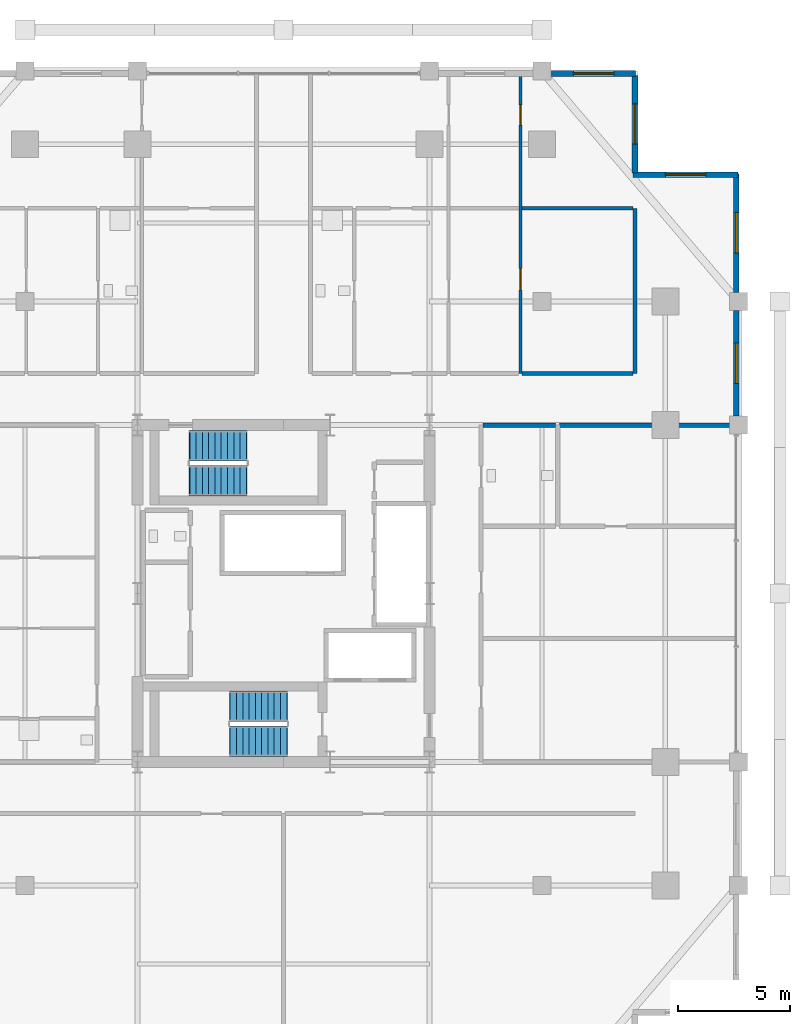
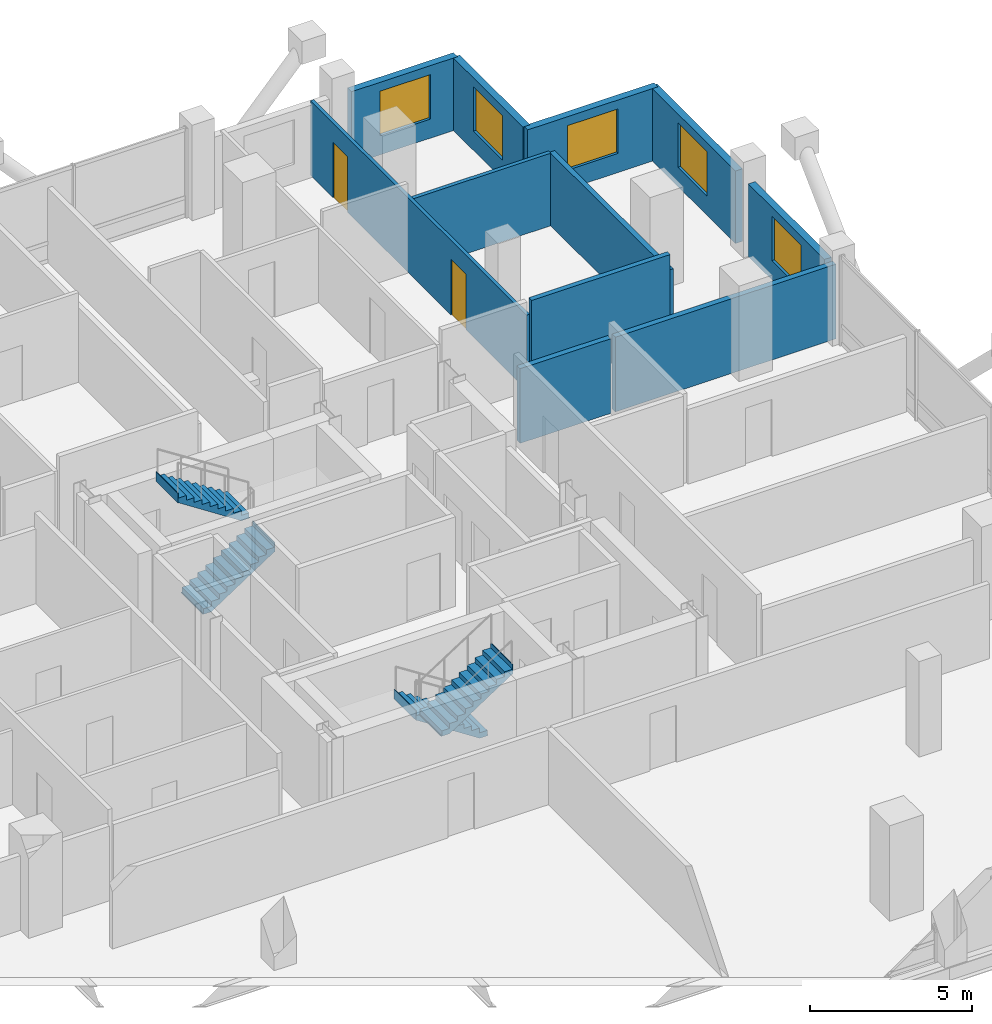
# One storey, part 20 of 22: 11 walls, 5 windows, 4 stair flights, 2 doors, 7 openings, 2 elements without a shape of their own.
"""IFC4 building model written with IfcOpenShell, lengths in metres."""

import ifcopenshell
import ifcopenshell.guid

model = None  # the IFC model being written
_history = None  # IfcOwnerHistory: only IFC2X3 demands one
_inside = {}  # id of a spatial element -> (the spatial element, [elements in it])
_under = {}  # id of a project, library or spatial element -> (it, [spatial elements below it])
_declared = {}  # id of a project -> (the project, [libraries it declares])
_typed = {}  # id of a type object -> (the type object, [elements of that type])
_made_of = {}  # id of a material, layer set ... -> (it, [elements and type objects made of it])


def new_model(schema):
    """Start an empty IFC model of exactly this schema.

    Asked for "IFC4X3", IfcOpenShell would pick the latest addendum, in which some entities
    have other attributes; the version numbers below select the first issue.
    IFC2X3 requires an IfcOwnerHistory on every rooted entity: one is made here for all.
    """
    global model, _history
    if schema == "IFC4X3":
        model = ifcopenshell.file(schema_version=(4, 3, 0, 0))
    else:
        model = ifcopenshell.file(schema=schema)
    _inside.clear()
    _under.clear()
    _declared.clear()
    _typed.clear()
    _made_of.clear()
    _history = None
    if model.schema == "IFC2X3":
        org = make("IfcOrganization", Name="unknown")
        user = make(
            "IfcPersonAndOrganization",
            ThePerson=make("IfcPerson", FamilyName="unknown"),
            TheOrganization=org,
        )
        app = make(
            "IfcApplication",
            ApplicationDeveloper=org,
            Version="unknown",
            ApplicationFullName="unknown",
            ApplicationIdentifier="unknown",
        )
        _history = make(
            "IfcOwnerHistory",
            OwningUser=user,
            OwningApplication=app,
            ChangeAction="ADDED",
            CreationDate=0,
        )
    return model


def make(cls, **values):
    """One entity of the class cls with the attributes given. An attribute that is None is left unset."""
    return model.create_entity(
        cls, **{name: value for name, value in values.items() if value is not None}
    )


def rooted(cls, **values):
    """An entity with a GlobalId (a new one), such as an element, a storey or a relation."""
    return make(cls, GlobalId=ifcopenshell.guid.new(), OwnerHistory=_history, **values)


def si_unit(unit_type, name, prefix=None):
    """IfcSIUnit, for example si_unit("LENGTHUNIT", "METRE", prefix="MILLI")."""
    return make("IfcSIUnit", UnitType=unit_type, Prefix=prefix, Name=name)


def assignment(units):
    """IfcUnitAssignment: the units of a project."""
    return None if units is None else make("IfcUnitAssignment", Units=units)


def point(xyz):
    """IfcCartesianPoint."""
    return None if xyz is None else make("IfcCartesianPoint", Coordinates=xyz)


def direction(xyz):
    """IfcDirection."""
    return None if xyz is None else make("IfcDirection", DirectionRatios=xyz)


def frame(location, z_axis=None, x_axis=None):
    """IfcAxis2Placement3D, a coordinate frame: its origin and axes. An axis left out is left unset."""
    return make(
        "IfcAxis2Placement3D",
        Location=point(location),
        Axis=direction(z_axis),
        RefDirection=direction(x_axis),
    )


def frame_2d(location, x_axis=None):
    """IfcAxis2Placement2D, a coordinate frame in the plane: its origin and x axis."""
    return make(
        "IfcAxis2Placement2D", Location=point(location), RefDirection=direction(x_axis)
    )


def origin():
    """The frame at (0, 0, 0) with its axes left unset."""
    return frame((0.0, 0.0, 0.0))


def place(relative_to, where):
    """IfcLocalPlacement: puts the frame where relative to a parent placement (None: the world)."""
    return make(
        "IfcLocalPlacement", PlacementRelTo=relative_to, RelativePlacement=where
    )


def context(
    kind, dimensions, precision=None, world=None, true_north=None, identifier=None
):
    """IfcGeometricRepresentationContext, for example the 3D "Model" context."""
    return make(
        "IfcGeometricRepresentationContext",
        ContextIdentifier=identifier,
        ContextType=kind,
        CoordinateSpaceDimension=dimensions,
        Precision=precision,
        WorldCoordinateSystem=world,
        TrueNorth=true_north,
    )


def subcontext(parent, identifier, kind, view, scale=None):
    """IfcGeometricRepresentationSubContext, for example "Body" below "Model"."""
    return make(
        "IfcGeometricRepresentationSubContext",
        ContextIdentifier=identifier,
        ContextType=kind,
        ParentContext=parent,
        TargetScale=scale,
        TargetView=view,
    )


def project(units=None, contexts=None):
    """IfcProject with its units and contexts."""
    return rooted(
        "IfcProject",
        Name="project",
        RepresentationContexts=contexts,
        UnitsInContext=assignment(units),
    )


def spatial(cls, under=None, at=None, **own):
    """A site, building, storey or space (cls), placed at a placement, below another one or the project."""
    s = rooted(cls, ObjectPlacement=at, **own)
    if under is not None:
        _under.setdefault(under.id(), (under, []))[1].append(s)
    return s


def polyline(points):
    """IfcPolyline through the points."""
    return make("IfcPolyline", Points=[point(p) for p in points])


def profile(cls, at=None, kind="AREA", **sizes):
    """A parametric profile (cls). Its sizes go by their IFC names, for example OverallWidth=200.0."""
    return make(cls, ProfileType=kind, Position=at, **sizes)


def rectangle(**sizes):
    """IfcRectangleProfileDef."""
    return profile("IfcRectangleProfileDef", **sizes)


def outline(outer, holes=None, kind="AREA"):
    """IfcArbitraryClosedProfileDef: a profile drawn as a closed curve; with holes, ...WithVoids."""
    if holes is None:
        return make("IfcArbitraryClosedProfileDef", ProfileType=kind, OuterCurve=outer)
    return make(
        "IfcArbitraryProfileDefWithVoids",
        ProfileType=kind,
        OuterCurve=outer,
        InnerCurves=holes,
    )


def extrude(swept, where, along, depth):
    """IfcExtrudedAreaSolid: the profile swept, set in the frame where, extruded along a direction by depth."""
    return make(
        "IfcExtrudedAreaSolid",
        SweptArea=swept,
        Position=where,
        ExtrudedDirection=direction(along),
        Depth=depth,
    )


def shape(context_of_items, identifier, shape_type, items):
    """IfcShapeRepresentation: the items that make up one representation, for example the "Body"."""
    return make(
        "IfcShapeRepresentation",
        ContextOfItems=context_of_items,
        RepresentationIdentifier=identifier,
        RepresentationType=shape_type,
        Items=items,
    )


def material(Name=None, Category=None):
    """IfcMaterial."""
    return make("IfcMaterial", Name=Name, Category=Category)


def layer(
    of_material, thickness, ventilated=None, Name=None, Category=None, Priority=None
):
    """IfcMaterialLayer: one layer of a wall or slab, of a material (None: an air gap)."""
    return make(
        "IfcMaterialLayer",
        Material=of_material,
        LayerThickness=thickness,
        IsVentilated=ventilated,
        Name=Name,
        Category=Category,
        Priority=Priority,
    )


def layer_set(layers, Name=None):
    """IfcMaterialLayerSet."""
    return make("IfcMaterialLayerSet", MaterialLayers=layers, LayerSetName=Name)


def made_of(thing, what):
    """Note that an element or type object is made of a material, layer set ...; save() writes the relation."""
    if what is not None:
        _made_of.setdefault(what.id(), (what, []))[1].append(thing)
    return thing


def type_object(cls, material=None, **own):
    """A type object (cls), such as IfcWallType, which elements share."""
    return made_of(rooted(cls, **own), material)


def element(
    cls,
    number,
    at=None,
    inside=None,
    cuts=None,
    type_object=None,
    material=None,
    context=None,
    identifier="Body",
    shape_type=None,
    held_by="IfcProductDefinitionShape",
    body=None,
    shapes=None,
    **own,
):
    """One element of the class cls, such as IfcWall. Its Tag is "e" and its number.

    at: its placement. inside: the storey or other place that contains it. cuts: it is an
    opening in that element (IfcRelVoidsElement). A single representation is given by context,
    identifier, shape_type and body (its items); several are given by shapes. held_by: the class
    of the entity that holds the representations. save() writes the other relations.
    """
    e = rooted(cls, Tag="e%d" % number, ObjectPlacement=at, **own)
    if body is not None:
        shapes = [shape(context, identifier, shape_type, body)]
    if shapes is not None:
        e.Representation = make(held_by, Representations=shapes)
    if inside is not None:
        _inside.setdefault(inside.id(), (inside, []))[1].append(e)
    if cuts is not None:
        rooted(
            "IfcRelVoidsElement", RelatingBuildingElement=cuts, RelatedOpeningElement=e
        )
    if type_object is not None:
        _typed.setdefault(type_object.id(), (type_object, []))[1].append(e)
    return made_of(e, material)


def fill(opening, filler):
    """IfcRelFillsElement: the door or window that sits in an opening."""
    return rooted(
        "IfcRelFillsElement",
        RelatingOpeningElement=opening,
        RelatedBuildingElement=filler,
    )


def aggregate(whole, parts):
    """IfcRelAggregates: a whole, such as a stair, and the parts it consists of."""
    return rooted("IfcRelAggregates", RelatingObject=whole, RelatedObjects=parts)


def save(model, path):
    """Write the relations noted so far, then the file.

    IfcRelAggregates (storeys below a building ...), IfcRelContainedInSpatialStructure (elements
    in a storey), IfcRelDefinesByType, IfcRelAssociatesMaterial and IfcRelDeclares: one each for
    every whole, place, type object, material and project.
    """
    for whole, parts in _under.values():
        aggregate(whole, parts)
    for where, things in _inside.values():
        rooted(
            "IfcRelContainedInSpatialStructure",
            RelatedElements=things,
            RelatingStructure=where,
        )
    for kind, things in _typed.values():
        rooted("IfcRelDefinesByType", RelatedObjects=things, RelatingType=kind)
    for what, things in _made_of.values():
        rooted("IfcRelAssociatesMaterial", RelatedObjects=things, RelatingMaterial=what)
    for by, libraries in _declared.values():
        rooted("IfcRelDeclares", RelatingContext=by, RelatedDefinitions=libraries)
    model.write(path)


model = new_model("IFC4")

# Units and contexts
model_context = context("Model", 3, precision=1e-05, world=origin(), true_north=direction((0.0, 1.0)))
body_context = subcontext(model_context, "Body", "Model", "MODEL_VIEW")
ifc_project = project(units=[si_unit("LENGTHUNIT", "METRE"), si_unit("AREAUNIT", "SQUARE_METRE"), si_unit("VOLUMEUNIT", "CUBIC_METRE"), si_unit("PLANEANGLEUNIT", "RADIAN"), si_unit("MASSUNIT", "GRAM", prefix="KILO")], contexts=[model_context])

# Site, building, storey
site_placement = place(None, origin())
site = spatial("IfcSite", under=ifc_project, at=site_placement, CompositionType="ELEMENT")
building_placement = place(site_placement, origin())
building = spatial("IfcBuilding", under=site, at=building_placement, Name="Barlavira Tower and Art Museum", CompositionType="ELEMENT")
storey_placement = place(building_placement, frame((0.0, 0.0, 129.60009765625)))
storey = spatial("IfcBuildingStorey", under=building, at=storey_placement, Name="L32", CompositionType="ELEMENT", Elevation=129.60009765625)

# Wall, openings, doors
ifc_material_1 = material(Name="Gypsum acoustic stud partition", Category="gypsum")
ifc_layer_1 = layer(ifc_material_1, 0.1201171875, Name="Gypsum acoustic stud partition")
ifc_layer_set_1 = layer_set([ifc_layer_1], Name="Gypsum acoustic stud partition")
wall_type_1 = type_object("IfcWallType", Name="Apartment Internal Acoustic Partition 120", PredefinedType="PARTITIONING", material=ifc_layer_set_1)
wall_1_placement = place(storey_placement, frame((10.550048828125, 9.800048828125, 0.0), z_axis=(0.0, 0.0, 1.0), x_axis=(0.0, 1.0, 0.0)))
wall_1 = element("IfcWall", 1, at=wall_1_placement, inside=storey, type_object=wall_type_1, Name="L32 Partition Wall 16", PredefinedType="PARTITIONING", context=body_context, shape_type="SweptSolid", body=[
    extrude(rectangle(XDim=13.349853515625, YDim=0.1201171875, at=frame_2d((6.6748046875, 0.0))), origin(), (0.0, 0.0, 1.0), 2.81591796875),
])
opening_1_placement = place(wall_1_placement, frame((3.71337890625, 0.0, 0.0)))
opening_1 = element("IfcOpeningElement", 2, at=opening_1_placement, cuts=wall_1, Name="Opening D-02", PredefinedType="OPENING", context=body_context, shape_type="SweptSolid", body=[
    extrude(rectangle(XDim=0.949951171875, YDim=2.10009765625, at=frame_2d((0.47509765625, 1.050048828125))), frame((0.0, 0.070068359375, 0.0), z_axis=(0.0, -1.0, 0.0), x_axis=(1.0, 0.0, 0.0)), (0.0, 0.0, 1.0), 0.14013671875),
])
opening_2_placement = place(wall_1_placement, frame((11.051025390625, 0.0, 0.0)))
opening_2 = element("IfcOpeningElement", 3, at=opening_2_placement, cuts=wall_1, Name="Opening D-01", PredefinedType="OPENING", context=body_context, shape_type="SweptSolid", body=[
    extrude(rectangle(XDim=0.89990234375, YDim=2.10009765625, at=frame_2d((0.449951171875, 1.050048828125))), frame((0.0, 0.070068359375, 0.0), z_axis=(0.0, -1.0, 0.0), x_axis=(1.0, 0.0, 0.0)), (0.0, 0.0, 1.0), 0.14013671875),
])
ifc_material_2 = material(Name="Engineered coastal hardwood", Category="wood")
door_type_1 = type_object("IfcDoorType", Name="Internal Bedroom Timber Flush Door 900x2100", OperationType="NOTDEFINED", PredefinedType="DOOR", material=ifc_material_2)
door_1_placement = place(opening_2_placement, origin())
door_1 = element("IfcDoor", 4, at=door_1_placement, inside=storey, type_object=door_type_1, Name="Apartment SKY-NE Bedroom 2 Door", OperationType="SINGLE_SWING_RIGHT", OverallHeight=2.10009765625, OverallWidth=0.89990234375, PredefinedType="DOOR", context=body_context, shape_type="SweptSolid", body=[
    extrude(rectangle(XDim=0.89990234375, YDim=2.10009765625, at=frame_2d((0.449951171875, 1.050048828125))), frame((0.0, 0.02490234375, 0.0), z_axis=(0.0, -1.0, 0.0), x_axis=(1.0, 0.0, 0.0)), (0.0, 0.0, 1.0), 0.050048828125),
])
fill(opening_2, door_1)
door_type_2 = type_object("IfcDoorType", Name="Living and Salon Glazed-Leaf Door 950x2100", OperationType="NOTDEFINED", PredefinedType="DOOR", material=ifc_material_2)
door_2_placement = place(opening_1_placement, origin())
door_2 = element("IfcDoor", 5, at=door_2_placement, inside=storey, type_object=door_type_2, Name="Apartment SKY-NE Dining Salon Door", OperationType="SINGLE_SWING_LEFT", OverallHeight=2.10009765625, OverallWidth=0.949951171875, PredefinedType="DOOR", context=body_context, shape_type="SweptSolid", body=[
    extrude(rectangle(XDim=0.949951171875, YDim=2.10009765625, at=frame_2d((0.47509765625, 1.050048828125))), frame((0.0, 0.02490234375, 0.0), z_axis=(0.0, -1.0, 0.0), x_axis=(1.0, 0.0, 0.0)), (0.0, 0.0, 1.0), 0.050048828125),
])
fill(opening_1, door_2)

# Walls
ifc_material_3 = material(Name="Autoclaved aerated concrete masonry", Category="masonry")
ifc_layer_2 = layer(ifc_material_3, 0.199951171875, Name="Autoclaved aerated concrete masonry")
ifc_layer_set_2 = layer_set([ifc_layer_2], Name="Autoclaved aerated concrete masonry")
wall_type_2 = type_object("IfcWallType", Name="Fire Compartment and Shaft Wall 200", PredefinedType="SOLIDWALL", material=ifc_layer_set_2)
wall_2_placement = place(storey_placement, frame((8.8798828125, 7.5, 0.0), z_axis=(0.0, 0.0, 1.0), x_axis=(1.0, 0.0, 0.0)))
element("IfcWall", 6, at=wall_2_placement, inside=storey, type_object=wall_type_2, Name="L32 Partition Wall 38", PredefinedType="SOLIDWALL", context=body_context, shape_type="SweptSolid", body=[
    extrude(rectangle(XDim=3.240234375, YDim=0.199951171875, at=frame_2d((1.6201171875, 0.0))), origin(), (0.0, 0.0, 1.0), 2.81591796875),
])
wall_3_placement = place(storey_placement, frame((12.280029296875, 7.5, 0.0), z_axis=(0.0, 0.0, 1.0), x_axis=(1.0, 0.0, 0.0)))
element("IfcWall", 7, at=wall_3_placement, inside=storey, type_object=wall_type_2, Name="L32 Partition Wall 39", PredefinedType="SOLIDWALL", context=body_context, shape_type="SweptSolid", body=[
    extrude(rectangle(XDim=7.869873046875, YDim=0.199951171875, at=frame_2d((3.93505859375, 0.0))), origin(), (0.0, 0.0, 1.0), 2.81591796875),
])
ifc_layer_3 = layer(ifc_material_1, 0.179931640625, Name="Gypsum acoustic stud partition")
ifc_layer_set_3 = layer_set([ifc_layer_3], Name="Gypsum acoustic stud partition")
wall_type_3 = type_object("IfcWallType", Name="Inter-Tenancy Party Partition Wall 180", PredefinedType="PARTITIONING", material=ifc_layer_set_3)
wall_4_placement = place(storey_placement, frame((15.64990234375, 9.800048828125, 0.0), z_axis=(0.0, 0.0, 1.0), x_axis=(0.0, 1.0, 0.0)))
element("IfcWall", 8, at=wall_4_placement, inside=storey, type_object=wall_type_3, Name="L32 Partition Wall 18", PredefinedType="PARTITIONING", context=body_context, shape_type="SweptSolid", body=[
    extrude(rectangle(XDim=7.349853515625, YDim=0.179931640625, at=frame_2d((3.6748046875, 0.0))), origin(), (0.0, 0.0, 1.0), 2.73583984375),
])
wall_5_placement = place(storey_placement, frame((10.6298828125, 9.800048828125, 0.0), z_axis=(0.0, 0.0, 1.0), x_axis=(1.0, 0.0, 0.0)))
element("IfcWall", 9, at=wall_5_placement, inside=storey, type_object=wall_type_3, Name="L32 Partition Wall 47", PredefinedType="PARTITIONING", context=body_context, shape_type="SweptSolid", body=[
    extrude(rectangle(XDim=4.940185546875, YDim=0.179931640625, at=frame_2d((2.47021484375, 0.0))), origin(), (0.0, 0.0, 1.0), 3.3798828125),
])
ifc_layer_4 = layer(ifc_material_1, 0.139892578125, Name="Gypsum acoustic stud partition")
ifc_layer_set_4 = layer_set([ifc_layer_4], Name="Gypsum acoustic stud partition")
wall_type_4 = type_object("IfcWallType", Name="Moisture-Resistant Bathroom Partition 140", PredefinedType="PARTITIONING", material=ifc_layer_set_4)
wall_6_placement = place(storey_placement, frame((10.6298828125, 17.14990234375, 0.0), z_axis=(0.0, 0.0, 1.0), x_axis=(1.0, 0.0, 0.0)))
element("IfcWall", 10, at=wall_6_placement, inside=storey, type_object=wall_type_4, Name="L32 Partition Wall 55", PredefinedType="PARTITIONING", context=body_context, shape_type="SweptSolid", body=[
    extrude(rectangle(XDim=4.940185546875, YDim=0.139892578125, at=frame_2d((2.47021484375, 0.0))), origin(), (0.0, 0.0, 1.0), 2.73583984375),
])

# Wall, opening, window
ifc_material_4 = material(Name="Precast concrete C40", Category="concrete")
ifc_layer_5 = layer(ifc_material_4, 0.25, Name="Precast concrete C40")
ifc_layer_set_5 = layer_set([ifc_layer_5], Name="Precast concrete C40")
wall_type_5 = type_object("IfcWallType", Name="Notched Corner Spandrel Wall 250 Precast Concrete C40", PredefinedType="SOLIDWALL", material=ifc_layer_set_5)
wall_7_placement = place(storey_placement, frame((15.675048828125, 23.14990234375, 0.0), z_axis=(0.0, 0.0, 1.0), x_axis=(-1.0, 0.0, 0.0)))
wall_7 = element("IfcWall", 11, at=wall_7_placement, inside=storey, type_object=wall_type_5, Name="L32 Coastal Facade Pier Wall CW2-L32-N-1", PredefinedType="SOLIDWALL", context=body_context, shape_type="SweptSolid", body=[
    extrude(rectangle(XDim=3.780029296875, YDim=0.25, at=frame_2d((1.89013671875, 0.0))), origin(), (0.0, 0.0, 1.0), 2.73583984375),
])
opening_3_placement = place(wall_7_placement, frame((0.968017578125, 0.0, 0.719970703125)))
opening_3 = element("IfcOpeningElement", 12, at=opening_3_placement, cuts=wall_7, Name="Opening WN-01", PredefinedType="OPENING", context=body_context, shape_type="SweptSolid", body=[
    extrude(rectangle(XDim=1.800048828125, YDim=1.679931640625, at=frame_2d((0.89990234375, 0.83984375))), frame((0.0, 0.135009765625, 0.0), z_axis=(0.0, -1.0, 0.0), x_axis=(1.0, 0.0, 0.0)), (0.0, 0.0, 1.0), 0.27001953125),
])
ifc_material_5 = material(Name="Low-iron coastal laminated glass", Category="glass")
window_type = type_object("IfcWindowType", Name="Recessed Notch Corner Punch Window 1800x1680", PartitioningType="SINGLE_PANEL", PredefinedType="WINDOW", material=ifc_material_5)
window_1_placement = place(opening_3_placement, origin())
window_1 = element("IfcWindow", 13, at=window_1_placement, inside=storey, type_object=window_type, Name="L32 Punched Facade Window EWP-CW2-L32-N-1-1", OverallHeight=1.679931640625, OverallWidth=1.800048828125, PartitioningType="SINGLE_PANEL", PredefinedType="WINDOW", context=body_context, shape_type="SweptSolid", body=[
    extrude(rectangle(XDim=1.800048828125, YDim=1.679931640625, at=frame_2d((0.89990234375, 0.83984375))), frame((0.0, 0.030029296875, 0.0), z_axis=(0.0, -1.0, 0.0), x_axis=(1.0, 0.0, 0.0)), (0.0, 0.0, 1.0), 0.06005859375),
])
fill(opening_3, window_1)

wall_8_placement = place(storey_placement, frame((20.14990234375, 7.89501953125, 0.0), z_axis=(0.0, 0.0, 1.0), x_axis=(0.0, 1.0, 0.0)))
wall_8 = element("IfcWall", 14, at=wall_8_placement, inside=storey, type_object=wall_type_5, Name="L32 Coastal Facade Pier Wall CW2-L32-E-4", PredefinedType="SOLIDWALL", context=body_context, shape_type="SweptSolid", body=[
    extrude(rectangle(XDim=4.7099609375, YDim=0.25, at=frame_2d((2.35498046875, 0.0))), origin(), (0.0, 0.0, 1.0), 2.73583984375),
])
opening_4_placement = place(wall_8_placement, frame((1.455078125, 0.0, 0.719970703125)))
opening_4 = element("IfcOpeningElement", 15, at=opening_4_placement, cuts=wall_8, Name="Opening WN-01", PredefinedType="OPENING", context=body_context, shape_type="SweptSolid", body=[
    extrude(rectangle(XDim=1.800048828125, YDim=1.679931640625, at=frame_2d((0.89990234375, 0.83984375))), frame((0.0, 0.135009765625, 0.0), z_axis=(0.0, -1.0, 0.0), x_axis=(1.0, 0.0, 0.0)), (0.0, 0.0, 1.0), 0.27001953125),
])
window_2_placement = place(opening_4_placement, origin())
window_2 = element("IfcWindow", 16, at=window_2_placement, inside=storey, type_object=window_type, Name="L32 Punched Facade Window EWP-CW2-L32-E-4-1", OverallHeight=1.679931640625, OverallWidth=1.800048828125, PartitioningType="SINGLE_PANEL", PredefinedType="WINDOW", context=body_context, shape_type="SweptSolid", body=[
    extrude(rectangle(XDim=1.800048828125, YDim=1.679931640625, at=frame_2d((0.89990234375, 0.83984375))), frame((0.0, 0.030029296875, 0.0), z_axis=(0.0, -1.0, 0.0), x_axis=(1.0, 0.0, 0.0)), (0.0, 0.0, 1.0), 0.06005859375),
])
fill(opening_4, window_2)

wall_9_placement = place(storey_placement, frame((20.14990234375, 13.39501953125, 0.0), z_axis=(0.0, 0.0, 1.0), x_axis=(0.0, 1.0, 0.0)))
wall_9 = element("IfcWall", 17, at=wall_9_placement, inside=storey, type_object=wall_type_5, Name="L32 Coastal Facade Pier Wall CW2-L32-E-5", PredefinedType="SOLIDWALL", context=body_context, shape_type="SweptSolid", body=[
    extrude(rectangle(XDim=5.280029296875, YDim=0.25, at=frame_2d((2.64013671875, 0.0))), origin(), (0.0, 0.0, 1.0), 2.73583984375),
])
opening_5_placement = place(wall_9_placement, frame((1.762939453125, 0.0, 0.719970703125)))
opening_5 = element("IfcOpeningElement", 18, at=opening_5_placement, cuts=wall_9, Name="Opening WN-01", PredefinedType="OPENING", context=body_context, shape_type="SweptSolid", body=[
    extrude(rectangle(XDim=1.800048828125, YDim=1.679931640625, at=frame_2d((0.89990234375, 0.83984375))), frame((0.0, 0.135009765625, 0.0), z_axis=(0.0, -1.0, 0.0), x_axis=(1.0, 0.0, 0.0)), (0.0, 0.0, 1.0), 0.27001953125),
])
window_3_placement = place(opening_5_placement, origin())
window_3 = element("IfcWindow", 19, at=window_3_placement, inside=storey, type_object=window_type, Name="L32 Punched Facade Window EWP-CW2-L32-E-5-1", OverallHeight=1.679931640625, OverallWidth=1.800048828125, PartitioningType="SINGLE_PANEL", PredefinedType="WINDOW", context=body_context, shape_type="SweptSolid", body=[
    extrude(rectangle(XDim=1.800048828125, YDim=1.679931640625, at=frame_2d((0.89990234375, 0.83984375))), frame((0.0, 0.030029296875, 0.0), z_axis=(0.0, -1.0, 0.0), x_axis=(1.0, 0.0, 0.0)), (0.0, 0.0, 1.0), 0.06005859375),
])
fill(opening_5, window_3)

wall_10_placement = place(storey_placement, frame((20.22998046875, 18.64990234375, 0.0), z_axis=(0.0, 0.0, 1.0), x_axis=(-1.0, 0.0, 0.0)))
wall_10 = element("IfcWall", 20, at=wall_10_placement, inside=storey, type_object=wall_type_5, Name="L32 Notch Corner Wall NE1", PredefinedType="SOLIDWALL", context=body_context, shape_type="SweptSolid", body=[
    extrude(rectangle(XDim=4.659912109375, YDim=0.25, at=frame_2d((2.330078125, 0.0))), origin(), (0.0, 0.0, 1.0), 2.73583984375),
])
opening_6_placement = place(wall_10_placement, frame((1.429931640625, 0.0, 0.719970703125)))
opening_6 = element("IfcOpeningElement", 21, at=opening_6_placement, cuts=wall_10, Name="Opening WN-01", PredefinedType="OPENING", context=body_context, shape_type="SweptSolid", body=[
    extrude(rectangle(XDim=1.800048828125, YDim=1.679931640625, at=frame_2d((0.89990234375, 0.83984375))), frame((0.0, 0.135009765625, 0.0), z_axis=(0.0, -1.0, 0.0), x_axis=(1.0, 0.0, 0.0)), (0.0, 0.0, 1.0), 0.27001953125),
])
window_4_placement = place(opening_6_placement, origin())
window_4 = element("IfcWindow", 22, at=window_4_placement, inside=storey, type_object=window_type, Name="L32 Punched Facade Window EW-NTC-L32-NE1-1", OverallHeight=1.679931640625, OverallWidth=1.800048828125, PartitioningType="SINGLE_PANEL", PredefinedType="WINDOW", context=body_context, shape_type="SweptSolid", body=[
    extrude(rectangle(XDim=1.800048828125, YDim=1.679931640625, at=frame_2d((0.89990234375, 0.83984375))), frame((0.0, 0.030029296875, 0.0), z_axis=(0.0, -1.0, 0.0), x_axis=(1.0, 0.0, 0.0)), (0.0, 0.0, 1.0), 0.06005859375),
])
fill(opening_6, window_4)

wall_11_placement = place(storey_placement, frame((15.64990234375, 18.72998046875, 0.0), z_axis=(0.0, 0.0, 1.0), x_axis=(0.0, 1.0, 0.0)))
wall_11 = element("IfcWall", 23, at=wall_11_placement, inside=storey, type_object=wall_type_5, Name="L32 Notch Corner Wall NE2", PredefinedType="SOLIDWALL", context=body_context, shape_type="SweptSolid", body=[
    extrude(rectangle(XDim=4.340087890625, YDim=0.25, at=frame_2d((2.169921875, 0.0))), origin(), (0.0, 0.0, 1.0), 2.73583984375),
])
opening_7_placement = place(wall_11_placement, frame((1.27001953125, 0.0, 0.719970703125)))
opening_7 = element("IfcOpeningElement", 24, at=opening_7_placement, cuts=wall_11, Name="Opening WN-01", PredefinedType="OPENING", context=body_context, shape_type="SweptSolid", body=[
    extrude(rectangle(XDim=1.800048828125, YDim=1.679931640625, at=frame_2d((0.89990234375, 0.83984375))), frame((0.0, 0.135009765625, 0.0), z_axis=(0.0, -1.0, 0.0), x_axis=(1.0, 0.0, 0.0)), (0.0, 0.0, 1.0), 0.27001953125),
])
window_5_placement = place(opening_7_placement, origin())
window_5 = element("IfcWindow", 25, at=window_5_placement, inside=storey, type_object=window_type, Name="L32 Punched Facade Window EW-NTC-L32-NE2-1", OverallHeight=1.679931640625, OverallWidth=1.800048828125, PartitioningType="SINGLE_PANEL", PredefinedType="WINDOW", context=body_context, shape_type="SweptSolid", body=[
    extrude(rectangle(XDim=1.800048828125, YDim=1.679931640625, at=frame_2d((0.89990234375, 0.83984375))), frame((0.0, 0.030029296875, 0.0), z_axis=(0.0, -1.0, 0.0), x_axis=(1.0, 0.0, 0.0)), (0.0, 0.0, 1.0), 0.06005859375),
])
fill(opening_7, window_5)

# Stair, stair flights
ifc_material_6 = material(Name="Concrete C45", Category="concrete")
stair_type_1 = type_object("IfcStairType", Name="Tower North Dog-Leg Exit Stair Assembly Concrete C45", PredefinedType="TWO_QUARTER_TURN_STAIR", material=ifc_material_6)
stair_1_placement = place(storey_placement, origin())
stair_1 = element("IfcStair", 26, at=stair_1_placement, inside=storey, type_object=stair_type_1, Name="L32 Tower North Exit Stair ST-T2", PredefinedType="TWO_QUARTER_TURN_STAIR")
ifc_material_7 = material(Name="Precast concrete C45", Category="concrete")
stair_flight_type_1 = type_object("IfcStairFlightType", Name="Tower North Dog-Leg Exit Stair Precast Flight 1350 Concrete C45", PredefinedType="STRAIGHT", material=ifc_material_7)
stair_flight_1_placement = place(storey_placement, frame((-4.169921875, 5.02490234375, 0.0), z_axis=(0.0, 0.0, 1.0), x_axis=(1.0, 0.0, 0.0)))
stair_flight_1 = element("IfcStairFlight", 27, at=stair_flight_1_placement, type_object=stair_flight_type_1, Name="ST-T2 flight 1", NumberOfRisers=10, NumberOfTreads=9, PredefinedType="STRAIGHT", RiserHeight=0.18, TreadLength=0.28, context=body_context, shape_type="SweptSolid", body=[
    extrude(outline(polyline([(-0.02490234375, 0.0), (0.0, 0.0), (0.0, 0.179931640625), (0.280029296875, 0.179931640625), (0.280029296875, 0.360107421875), (0.56005859375, 0.360107421875), (0.56005859375, 0.5400390625), (0.840087890625, 0.5400390625), (0.840087890625, 0.719970703125), (1.1201171875, 0.719970703125), (1.1201171875, 0.89990234375), (1.39990234375, 0.89990234375), (1.39990234375, 1.080078125), (1.679931640625, 1.080078125), (1.679931640625, 1.260009765625), (1.9599609375, 1.260009765625), (1.9599609375, 1.43994140625), (2.239990234375, 1.43994140625), (2.239990234375, 1.6201171875), (2.52001953125, 1.6201171875), (2.52001953125, 1.800048828125), (2.544921875, 1.800048828125), (2.544921875, 1.44189453125), (2.52001953125, 1.44189453125), (0.277099609375, -0.02490234375), (-0.02490234375, -0.02490234375), (-0.02490234375, 0.0)])), frame((0.0, 0.675048828125, 0.0), z_axis=(0.0, -1.0, 0.0), x_axis=(1.0, 0.0, 0.0)), (0.0, 0.0, 1.0), 1.35009765625),
])
stair_flight_2_placement = place(storey_placement, frame((-1.64990234375, 6.574951171875, 1.7998046875), z_axis=(0.0, 0.0, 1.0), x_axis=(-1.0, 0.0, 0.0)))
stair_flight_2 = element("IfcStairFlight", 28, at=stair_flight_2_placement, type_object=stair_flight_type_1, Name="ST-T2 flight 2", NumberOfRisers=10, NumberOfTreads=9, PredefinedType="STRAIGHT", RiserHeight=0.18, TreadLength=0.28, context=body_context, shape_type="SweptSolid", body=[
    extrude(outline(polyline([(-0.02490234375, 0.0), (0.0, 0.0), (0.0, 0.179931640625), (0.280029296875, 0.179931640625), (0.280029296875, 0.360107421875), (0.56005859375, 0.360107421875), (0.56005859375, 0.5400390625), (0.840087890625, 0.5400390625), (0.840087890625, 0.719970703125), (1.1201171875, 0.719970703125), (1.1201171875, 0.89990234375), (1.39990234375, 0.89990234375), (1.39990234375, 1.080078125), (1.679931640625, 1.080078125), (1.679931640625, 1.260009765625), (1.9599609375, 1.260009765625), (1.9599609375, 1.43994140625), (2.239990234375, 1.43994140625), (2.239990234375, 1.6201171875), (2.52001953125, 1.6201171875), (2.52001953125, 1.800048828125), (2.544921875, 1.800048828125), (2.544921875, 1.44189453125), (2.52001953125, 1.44189453125), (0.277099609375, -0.02490234375), (-0.02490234375, -0.02490234375), (-0.02490234375, 0.0)])), frame((0.0, 0.675048828125, 0.0), z_axis=(0.0, -1.0, 0.0), x_axis=(1.0, 0.0, 0.0)), (0.0, 0.0, 1.0), 1.35009765625),
])
aggregate(stair_1, [stair_flight_1, stair_flight_2])

stair_type_2 = type_object("IfcStairType", Name="Tower South Dog-Leg Exit Stair Assembly Concrete C45", PredefinedType="TWO_QUARTER_TURN_STAIR", material=ifc_material_6)
stair_2_placement = place(storey_placement, origin())
stair_2 = element("IfcStair", 29, at=stair_2_placement, inside=storey, type_object=stair_type_2, Name="L32 Tower South Exit Stair ST-T1", PredefinedType="TWO_QUARTER_TURN_STAIR")
stair_flight_type_2 = type_object("IfcStairFlightType", Name="Tower South Dog-Leg Exit Stair Precast Flight 1350 Concrete C45", PredefinedType="STRAIGHT", material=ifc_material_7)
stair_flight_3_placement = place(storey_placement, frame((0.14990234375, -5.02490234375, 0.0), z_axis=(0.0, 0.0, 1.0), x_axis=(-1.0, 0.0, 0.0)))
stair_flight_3 = element("IfcStairFlight", 30, at=stair_flight_3_placement, type_object=stair_flight_type_2, Name="ST-T1 flight 1", NumberOfRisers=10, NumberOfTreads=9, PredefinedType="STRAIGHT", RiserHeight=0.18, TreadLength=0.28, context=body_context, shape_type="SweptSolid", body=[
    extrude(outline(polyline([(-0.02490234375, 0.0), (0.0, 0.0), (0.0, 0.179931640625), (0.280029296875, 0.179931640625), (0.280029296875, 0.360107421875), (0.56005859375, 0.360107421875), (0.56005859375, 0.5400390625), (0.840087890625, 0.5400390625), (0.840087890625, 0.719970703125), (1.1201171875, 0.719970703125), (1.1201171875, 0.89990234375), (1.39990234375, 0.89990234375), (1.39990234375, 1.080078125), (1.679931640625, 1.080078125), (1.679931640625, 1.260009765625), (1.9599609375, 1.260009765625), (1.9599609375, 1.43994140625), (2.239990234375, 1.43994140625), (2.239990234375, 1.6201171875), (2.52001953125, 1.6201171875), (2.52001953125, 1.800048828125), (2.544921875, 1.800048828125), (2.544921875, 1.44189453125), (2.52001953125, 1.44189453125), (0.277099609375, -0.02490234375), (-0.02490234375, -0.02490234375), (-0.02490234375, 0.0)])), frame((0.0, 0.675048828125, 0.0), z_axis=(0.0, -1.0, 0.0), x_axis=(1.0, 0.0, 0.0)), (0.0, 0.0, 1.0), 1.35009765625),
])
stair_flight_4_placement = place(storey_placement, frame((-2.3701171875, -6.574951171875, 1.7998046875), z_axis=(0.0, 0.0, 1.0), x_axis=(1.0, 0.0, 0.0)))
stair_flight_4 = element("IfcStairFlight", 31, at=stair_flight_4_placement, type_object=stair_flight_type_2, Name="ST-T1 flight 2", NumberOfRisers=10, NumberOfTreads=9, PredefinedType="STRAIGHT", RiserHeight=0.18, TreadLength=0.28, context=body_context, shape_type="SweptSolid", body=[
    extrude(outline(polyline([(-0.02490234375, 0.0), (0.0, 0.0), (0.0, 0.179931640625), (0.280029296875, 0.179931640625), (0.280029296875, 0.360107421875), (0.56005859375, 0.360107421875), (0.56005859375, 0.5400390625), (0.840087890625, 0.5400390625), (0.840087890625, 0.719970703125), (1.1201171875, 0.719970703125), (1.1201171875, 0.89990234375), (1.39990234375, 0.89990234375), (1.39990234375, 1.080078125), (1.679931640625, 1.080078125), (1.679931640625, 1.260009765625), (1.9599609375, 1.260009765625), (1.9599609375, 1.43994140625), (2.239990234375, 1.43994140625), (2.239990234375, 1.6201171875), (2.52001953125, 1.6201171875), (2.52001953125, 1.800048828125), (2.544921875, 1.800048828125), (2.544921875, 1.44189453125), (2.52001953125, 1.44189453125), (0.277099609375, -0.02490234375), (-0.02490234375, -0.02490234375), (-0.02490234375, 0.0)])), frame((0.0, 0.675048828125, 0.0), z_axis=(0.0, -1.0, 0.0), x_axis=(1.0, 0.0, 0.0)), (0.0, 0.0, 1.0), 1.35009765625),
])
aggregate(stair_2, [stair_flight_3, stair_flight_4])

save(model, "model.ifc")
